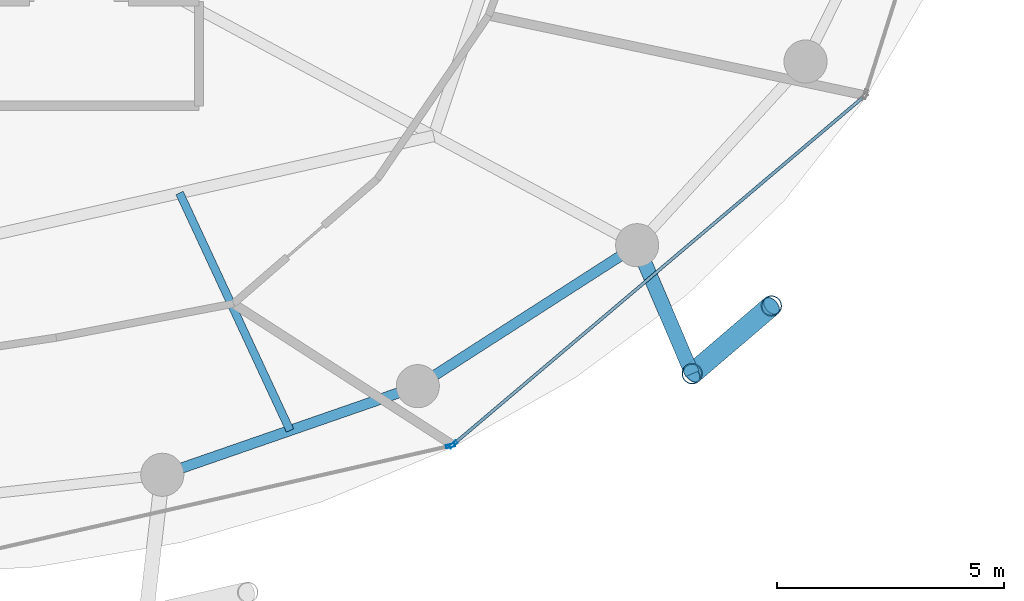
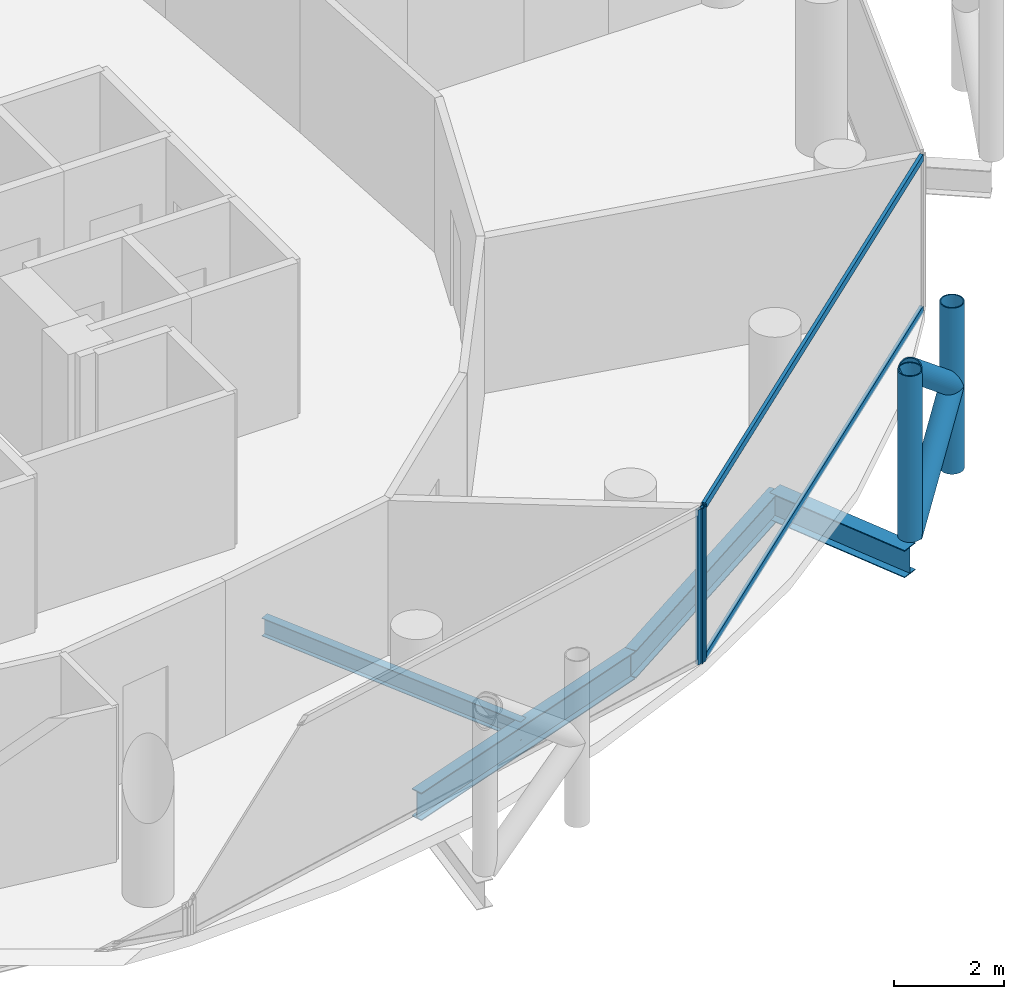
# One storey, part 8 of 26: 8 members, 4 beams, 2 elements without a shape of their own.
"""IFC4 building model written with IfcOpenShell, lengths in metres."""

from ifc_helpers import new_model, si_unit, direction, frame, origin, origin_2d, place, context, subcontext, project, spatial, hollow_rectangle, hollow_circle, i_section, extrude, material, layer, layer_set, material_profile, profile_set, type_object, element, aggregate, save


model = new_model("IFC4")

# Units and contexts
model_context = context("Model", 3, precision=1e-05, world=origin(), true_north=direction((0.0, 1.0)))
body_context = subcontext(model_context, "Body", "Model", "MODEL_VIEW")
ifc_project = project(units=[si_unit("LENGTHUNIT", "METRE"), si_unit("AREAUNIT", "SQUARE_METRE"), si_unit("VOLUMEUNIT", "CUBIC_METRE"), si_unit("PLANEANGLEUNIT", "RADIAN"), si_unit("MASSUNIT", "GRAM", prefix="KILO")], contexts=[model_context])

# Site, building, storey
site_placement = place(None, origin())
site = spatial("IfcSite", under=ifc_project, at=site_placement, CompositionType="ELEMENT")
building_placement = place(site_placement, origin())
building = spatial("IfcBuilding", under=site, at=building_placement, Name="Nuhasar Tower", CompositionType="ELEMENT")
storey_placement = place(building_placement, frame((0.0, 0.0, 181.14990234375)))
storey = spatial("IfcBuildingStorey", under=building, at=storey_placement, Name="L44", CompositionType="ELEMENT", Elevation=181.14990234375)

# Beams
ifc_material_1 = material(Name="Steel S355", Category="steel")
ifc_material_profile_1 = material_profile(ifc_material_1, i_section(OverallWidth=0.177978515625, OverallDepth=0.406005859375, WebThickness=0.0078125, FlangeThickness=0.0126953125, at=origin_2d()), Name="W16X40")
ifc_profile_set_1 = profile_set([ifc_material_profile_1], Name="Steel S355")
beam_type_1 = type_object("IfcBeamType", Name="BM-JST-W16X40", PredefinedType="JOIST", material=ifc_profile_set_1)
beam_1_placement = place(storey_placement, frame((45.424072265625, 14.1279296875, -0.452880859375), z_axis=(0.421729941201, -0.906721487941, 0.0), x_axis=(0.906721487941, 0.421729941201, 0.0)))
element("IfcBeam", 1, at=beam_1_placement, inside=storey, type_object=beam_type_1, Name="L44 Secondary Floor Joist 02", PredefinedType="JOIST", context=body_context, shape_type="SweptSolid", body=[
    extrude(i_section(OverallWidth=0.177978515625, OverallDepth=0.406005859375, WebThickness=0.0078125, FlangeThickness=0.0126953125, at=origin_2d()), origin(), (0.0, 0.0, 1.0), 5.7734375),
])
ifc_material_profile_2 = material_profile(ifc_material_1, i_section(OverallWidth=0.22998046875, OverallDepth=0.616943359375, WebThickness=0.01318359375, FlangeThickness=0.022216796875, at=origin_2d()), Name="W24X94")
ifc_profile_set_2 = profile_set([ifc_material_profile_2], Name="Steel S355")
beam_type_2 = type_object("IfcBeamType", Name="BM-RING-W24X94", PredefinedType="SPANDREL", material=ifc_profile_set_2)
beam_2_placement = place(storey_placement, frame((45.04296875, 7.916015625, -0.558837890625), z_axis=(0.944814057608, 0.327607076458, 0.0), x_axis=(-0.327607076458, 0.944814057608, 0.0)))
element("IfcBeam", 2, at=beam_2_placement, inside=storey, type_object=beam_type_2, Name="L44 Perimeter Ring Spandrel 20", PredefinedType="SPANDREL", context=body_context, shape_type="SweptSolid", body=[
    extrude(i_section(OverallWidth=0.22998046875, OverallDepth=0.616943359375, WebThickness=0.01318359375, FlangeThickness=0.022216796875, at=origin_2d()), origin(), (0.0, 0.0, 1.0), 5.9609375),
])
beam_3_placement = place(storey_placement, frame((50.675048828125, 9.868896484375, -0.558837890625), z_axis=(0.841308170616, 0.540555789955, 0.0), x_axis=(-0.540555789955, 0.841308170616, 0.0)))
element("IfcBeam", 3, at=beam_3_placement, inside=storey, type_object=beam_type_2, Name="L44 Perimeter Ring Spandrel 21", PredefinedType="SPANDREL", context=body_context, shape_type="SweptSolid", body=[
    extrude(i_section(OverallWidth=0.22998046875, OverallDepth=0.616943359375, WebThickness=0.01318359375, FlangeThickness=0.022216796875, at=origin_2d()), origin(), (0.0, 0.0, 1.0), 5.748046875),
])
ifc_material_profile_3 = material_profile(ifc_material_1, i_section(OverallWidth=0.323974609375, OverallDepth=0.611083984375, WebThickness=0.0126953125, FlangeThickness=0.01904296875, at=origin_2d()), Name="W24X104")
ifc_profile_set_3 = profile_set([ifc_material_profile_3], Name="Steel S355")
beam_type_3 = type_object("IfcBeamType", Name="BM-TIE-W24X104", PredefinedType="BEAM", material=ifc_profile_set_3)
beam_4_placement = place(storey_placement, frame((55.510986328125, 12.97607421875, -0.554931640625), z_axis=(0.39330721304, -0.919407111225, 0.0), x_axis=(0.919407111225, 0.39330721304, 0.0)))
element("IfcBeam", 4, at=beam_4_placement, inside=storey, type_object=beam_type_3, Name="L44 Exoskeleton Node Tie Beam 11", PredefinedType="BEAM", context=body_context, shape_type="SweptSolid", body=[
    extrude(i_section(OverallWidth=0.323974609375, OverallDepth=0.611083984375, WebThickness=0.0126953125, FlangeThickness=0.01904296875, at=origin_2d()), origin(), (0.0, 0.0, 1.0), 3.081298828125),
])

# Curtain wall, member
ifc_material_2 = material(Name="Aluminium 6063-T6", Category="aluminium")
ifc_layer = layer(ifc_material_2, 0.199951171875)
ifc_layer_set = layer_set([ifc_layer], Name="Aluminium 6063-T6")
curtain_wall_type = type_object("IfcCurtainWallType", Name="CW-Z2-HTL", PredefinedType="NOTDEFINED", material=ifc_layer_set)
curtain_wall_1_placement = place(storey_placement, origin())
curtain_wall_1 = element("IfcCurtainWall", 5, at=curtain_wall_1_placement, inside=storey, type_object=curtain_wall_type, Name="L44 Unitised Curtain Wall 10", PredefinedType="NOTDEFINED")
ifc_material_profile_4 = material_profile(ifc_material_2, hollow_rectangle(XDim=0.070068359375, YDim=0.199951171875, WallThickness=0.0048828125, at=origin_2d()), Name="CWM-3")
ifc_profile_set_4 = profile_set([ifc_material_profile_4], Name="Aluminium 6063-T6")
member_type_1 = type_object("IfcMemberType", Name="CW-MUL-S3", PredefinedType="MULLION", material=ifc_profile_set_4)
member_1_placement = place(storey_placement, frame((51.395751953125, 8.55419921875, 0.0), z_axis=(0.0, 0.0, 1.0), x_axis=(-0.22139729566, 0.975183694221, 0.0)))
member_1 = element("IfcMember", 6, at=member_1_placement, type_object=member_type_1, Name="CW-Z2 mullion 2", PredefinedType="MULLION", context=body_context, shape_type="SweptSolid", body=[
    extrude(hollow_rectangle(XDim=0.070068359375, YDim=0.199951171875, WallThickness=0.0048828125, at=origin_2d()), origin(), (0.0, 0.0, 1.0), 3.4501953125),
])
aggregate(curtain_wall_1, [member_1])

# Curtain wall, members
curtain_wall_2_placement = place(storey_placement, origin())
curtain_wall_2 = element("IfcCurtainWall", 7, at=curtain_wall_2_placement, inside=storey, type_object=curtain_wall_type, Name="L44 Unitised Curtain Wall 11", PredefinedType="NOTDEFINED")
member_2_placement = place(storey_placement, frame((51.456787109375, 8.584716796875, 0.0), z_axis=(0.0, 0.0, 1.0), x_axis=(-0.646374438324, 0.763020370292, 0.0)))
member_2 = element("IfcMember", 8, at=member_2_placement, type_object=member_type_1, Name="CW-Z2 mullion 1", PredefinedType="MULLION", context=body_context, shape_type="SweptSolid", body=[
    extrude(hollow_rectangle(XDim=0.070068359375, YDim=0.199951171875, WallThickness=0.0048828125, at=origin_2d()), origin(), (0.0, 0.0, 1.0), 3.4501953125),
])
ifc_material_profile_5 = material_profile(ifc_material_2, hollow_rectangle(XDim=0.070068359375, YDim=0.159912109375, WallThickness=0.00439453125, at=origin_2d()), Name="CWT-3")
ifc_profile_set_5 = profile_set([ifc_material_profile_5], Name="Aluminium 6063-T6")
member_type_2 = type_object("IfcMemberType", Name="CW-TRN-S3", PredefinedType="USERDEFINED", material=ifc_profile_set_5)
member_3_placement = place(storey_placement, frame((51.4833984375, 8.607177734375, 0.03515625), z_axis=(0.763013698099, 0.646382314511, 0.0), x_axis=(-0.646382314511, 0.763013698099, 0.0)))
member_3 = element("IfcMember", 9, at=member_3_placement, type_object=member_type_2, Name="CW-Z2 transom 1.1", ObjectType="TRANSOM", PredefinedType="USERDEFINED", context=body_context, shape_type="SweptSolid", body=[
    extrude(hollow_rectangle(XDim=0.070068359375, YDim=0.159912109375, WallThickness=0.00439453125, at=origin_2d()), origin(), (0.0, 0.0, 1.0), 11.78515625),
])
member_4_placement = place(storey_placement, frame((51.4833984375, 8.607177734375, 3.4150390625), z_axis=(0.763013698099, 0.646382314511, 0.0), x_axis=(-0.646382314511, 0.763013698099, 0.0)))
member_4 = element("IfcMember", 10, at=member_4_placement, type_object=member_type_2, Name="CW-Z2 transom 1.2", ObjectType="TRANSOM", PredefinedType="USERDEFINED", context=body_context, shape_type="SweptSolid", body=[
    extrude(hollow_rectangle(XDim=0.070068359375, YDim=0.159912109375, WallThickness=0.00439453125, at=origin_2d()), origin(), (0.0, 0.0, 1.0), 11.78515625),
])
aggregate(curtain_wall_2, [member_2, member_3, member_4])

# Members
ifc_material_3 = material(Name="Steel S460", Category="steel")
ifc_material_profile_6 = material_profile(ifc_material_3, hollow_circle(Radius=0.228515625, WallThickness=0.022216796875, at=origin_2d()), Name="HSS457X22.2")
ifc_profile_set_6 = profile_set([ifc_material_profile_6], Name="Steel S460")
member_type_3 = type_object("IfcMemberType", Name="EXO-BRONZE-457", PredefinedType="BRACE", material=ifc_profile_set_6)
for number, where, z_axis, x_axis, name in (
    (11, (56.722900390625, 10.14306640625, 0.0), (0.0, 0.0, 1.0), (1.0, 0.0, 0.0), "L44 Exoskeleton Chord Column EC-11A"),
    (12, (58.470947265625, 11.637939453125, 0.0), (0.0, 0.0, 1.0), (1.0, 0.0, 0.0), "L44 Exoskeleton Chord Column EC-11B"),
):
    element("IfcMember", number, at=place(storey_placement, frame(where, z_axis=z_axis, x_axis=x_axis)), inside=storey, type_object=member_type_3, Name=name, PredefinedType="BRACE", context=body_context, shape_type="SweptSolid", body=[
        extrude(hollow_circle(Radius=0.228515625, WallThickness=0.022216796875, at=origin_2d()), origin(), (0.0, 0.0, 1.0), 3.7001953125),
    ])
for number, where, z_axis, x_axis, name in (
    (13, (56.722900390625, 10.14306640625, 0.0), (0.592195175458, 0.506426125604, 0.626767463634), (-0.649925557156, 0.7599978751, 0.0), "L44 Bronze Diagrid Brace W1-11"),
    (14, (58.470947265625, 11.637939453125, 1.85009765625), (-0.592195175458, -0.506426125604, 0.626767463634), (0.649925557156, -0.7599978751, 0.0), "L44 Bronze Diagrid Brace W2-11"),
):
    element("IfcMember", number, at=place(storey_placement, frame(where, z_axis=z_axis, x_axis=x_axis)), inside=storey, type_object=member_type_3, Name=name, PredefinedType="BRACE", context=body_context, shape_type="SweptSolid", body=[
        extrude(hollow_circle(Radius=0.228515625, WallThickness=0.022216796875, at=origin_2d()), origin(), (0.0, 0.0, 1.0), 2.951904296875),
    ])

save(model, "model.ifc")
